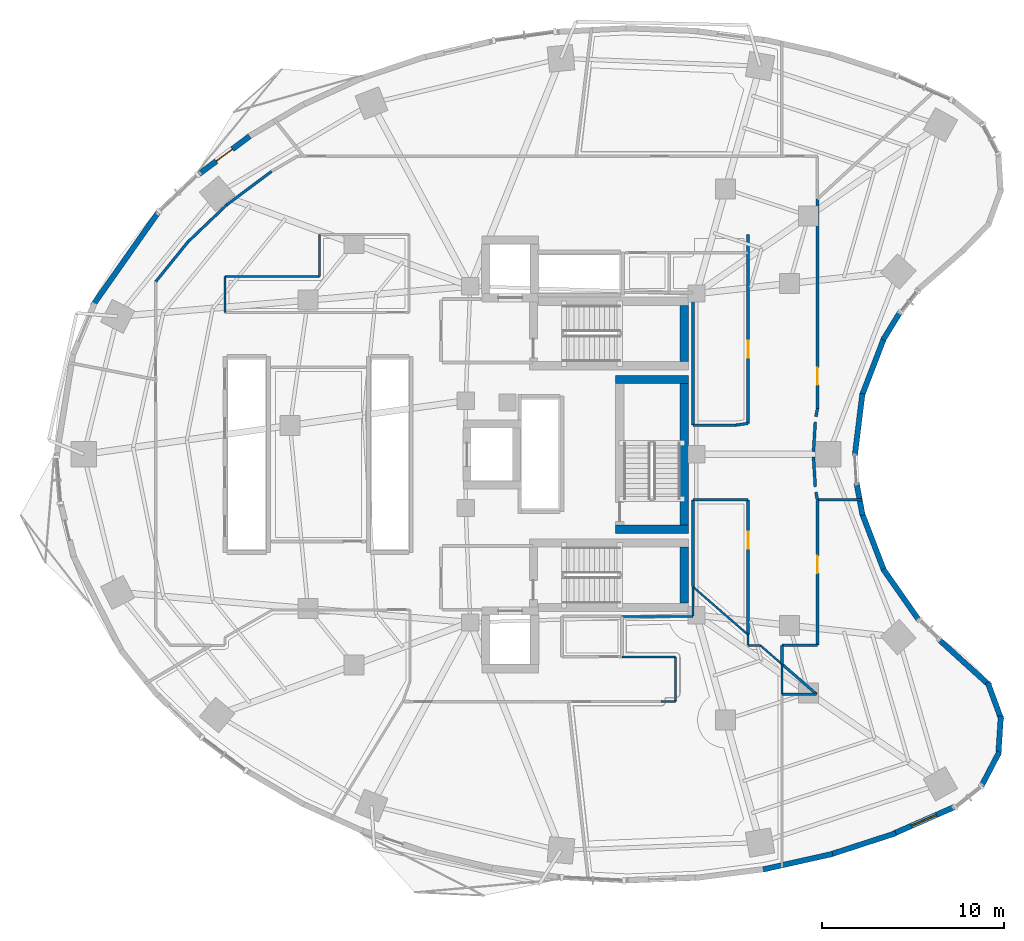
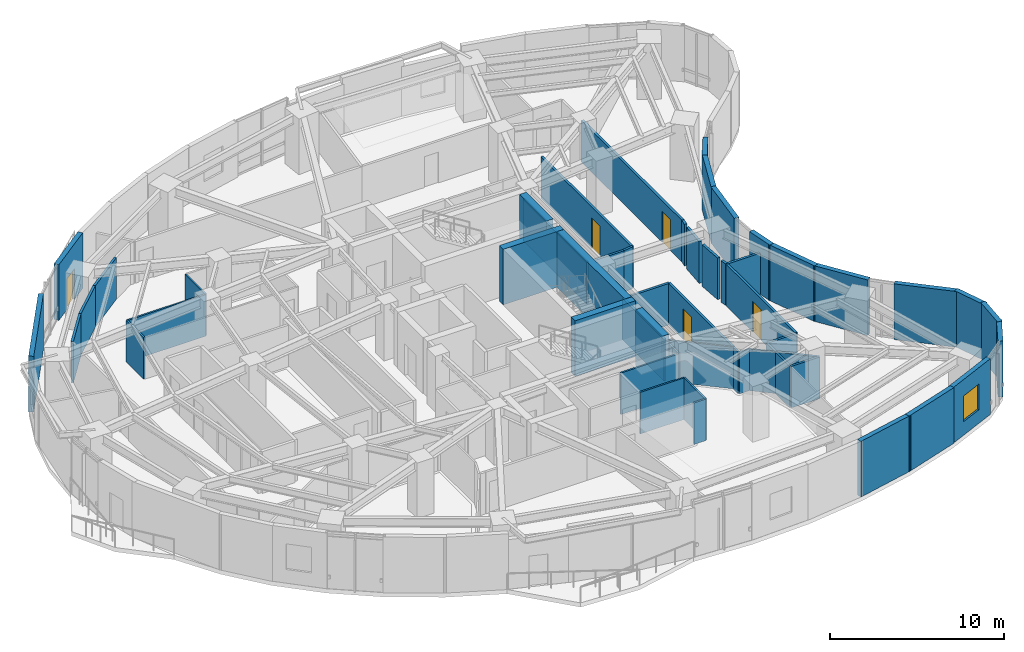
# One storey, part 10 of 15: 54 walls, 5 doors, 1 window, 6 openings.
"""IFC4 building model written with IfcOpenShell, lengths in metres."""

from ifc_helpers import new_model, si_unit, direction, frame, frame_2d, origin, place, context, subcontext, project, spatial, rectangle, extrude, material, layer, layer_set, type_object, element, fill, save


model = new_model("IFC4")

# Units and contexts
model_context = context("Model", 3, precision=1e-05, world=origin(), true_north=direction((0.0, 1.0)))
body_context = subcontext(model_context, "Body", "Model", "MODEL_VIEW")
ifc_project = project(units=[si_unit("LENGTHUNIT", "METRE"), si_unit("AREAUNIT", "SQUARE_METRE"), si_unit("VOLUMEUNIT", "CUBIC_METRE"), si_unit("PLANEANGLEUNIT", "RADIAN"), si_unit("MASSUNIT", "GRAM", prefix="KILO")], contexts=[model_context])

# Site, building, storey
site_placement = place(None, origin())
site = spatial("IfcSite", under=ifc_project, at=site_placement, CompositionType="ELEMENT")
building_placement = place(site_placement, origin())
building = spatial("IfcBuilding", under=site, at=building_placement, Name="Korentha Bioscience Tower", CompositionType="ELEMENT")
storey_placement = place(building_placement, frame((0.0, 0.0, 72.0)))
storey = spatial("IfcBuildingStorey", under=building, at=storey_placement, Name="L16", CompositionType="ELEMENT", Elevation=72.0)

# Wall, opening, door
ifc_material_1 = material(Name="Double-Stud Acoustic Gypsum", Category="gypsum")
ifc_layer_1 = layer(ifc_material_1, 0.14990234375, Name="Double-Stud Acoustic Gypsum")
ifc_layer_set_1 = layer_set([ifc_layer_1], Name="Double-Stud Acoustic Gypsum (IW-L150)")
wall_type_1 = type_object("IfcWallType", Name="Acoustic Laboratory Partition Wall 150", PredefinedType="PARTITIONING", material=ifc_layer_set_1)
wall_1_placement = place(storey_placement, frame((44.2099609375, 16.5, 0.0), z_axis=(0.0, 0.0, 1.0), x_axis=(0.0, 1.0, 0.0)))
wall_1 = element("IfcWall", 1, at=wall_1_placement, inside=storey, type_object=wall_type_1, Name="L16 Grant Review Seminar Room 06 Entrance Wall", PredefinedType="PARTITIONING", context=body_context, shape_type="SweptSolid", body=[
    extrude(rectangle(XDim=7.970458984375, YDim=0.14990234375, at=frame_2d((3.9853515625, 0.0))), origin(), (0.0, 0.0, 1.0), 2.909912109375),
])
opening_1_placement = place(wall_1_placement, frame((3.9658203125, 0.0, 0.0)))
opening_1 = element("IfcOpeningElement", 2, at=opening_1_placement, cuts=wall_1, Name="Opening ID-10R", PredefinedType="OPENING", context=body_context, shape_type="SweptSolid", body=[
    extrude(rectangle(XDim=0.949951171875, YDim=2.14990234375, at=frame_2d((0.47509765625, 1.074951171875))), frame((0.0, 0.08984375, 0.0), z_axis=(0.0, -1.0, 0.0), x_axis=(1.0, 0.0, 0.0)), (0.0, 0.0, 1.0), 0.1796875),
])
ifc_material_2 = material(Name="Phenolic Laminate Timber Core", Category="wood")
door_type_1 = type_object("IfcDoorType", Name="Laboratory Single Leaf Door 950x2150 Right", OperationType="SINGLE_SWING_RIGHT", PredefinedType="DOOR", material=ifc_material_2)
door_1_placement = place(opening_1_placement, origin())
door_1 = element("IfcDoor", 3, at=door_1_placement, inside=storey, type_object=door_type_1, Name="L16 Grant Review Seminar Room 06 Door", OperationType="SINGLE_SWING_RIGHT", OverallHeight=2.14990234375, OverallWidth=0.949951171875, PredefinedType="DOOR", context=body_context, shape_type="SweptSolid", body=[
    extrude(rectangle(XDim=0.949951171875, YDim=2.14990234375, at=frame_2d((0.47509765625, 1.074951171875))), frame((0.0, 0.02490234375, 0.0), z_axis=(0.0, -1.0, 0.0), x_axis=(1.0, 0.0, 0.0)), (0.0, 0.0, 1.0), 0.050048828125),
])
fill(opening_1, door_1)

wall_2_placement = place(storey_placement, frame((40.389892578125, 24.498046875, 0.0), z_axis=(0.0, 0.0, 1.0), x_axis=(0.0, -1.0, 0.0)))
wall_2 = element("IfcWall", 4, at=wall_2_placement, inside=storey, type_object=wall_type_1, Name="L16 Daylight Break and Coffee Bar 07 Entrance Wall", PredefinedType="PARTITIONING", context=body_context, shape_type="SweptSolid", body=[
    extrude(rectangle(XDim=7.41162109375, YDim=0.14990234375, at=frame_2d((3.705810546875, 0.0))), origin(), (0.0, 0.0, 1.0), 2.909912109375),
])
opening_2_placement = place(wall_2_placement, frame((1.744140625, 0.0, 0.0)))
opening_2 = element("IfcOpeningElement", 5, at=opening_2_placement, cuts=wall_2, Name="Opening ID-10L", PredefinedType="OPENING", context=body_context, shape_type="SweptSolid", body=[
    extrude(rectangle(XDim=0.949951171875, YDim=2.14990234375, at=frame_2d((0.47509765625, 1.074951171875))), frame((0.0, 0.08984375, 0.0), z_axis=(0.0, -1.0, 0.0), x_axis=(1.0, 0.0, 0.0)), (0.0, 0.0, 1.0), 0.1796875),
])
door_type_2 = type_object("IfcDoorType", Name="Laboratory Single Leaf Door 950x2150 Left", OperationType="SINGLE_SWING_LEFT", PredefinedType="DOOR", material=ifc_material_2)
door_2_placement = place(opening_2_placement, origin())
door_2 = element("IfcDoor", 6, at=door_2_placement, inside=storey, type_object=door_type_2, Name="L16 Daylight Break and Coffee Bar 07 Door", OperationType="SINGLE_SWING_LEFT", OverallHeight=2.14990234375, OverallWidth=0.949951171875, PredefinedType="DOOR", context=body_context, shape_type="SweptSolid", body=[
    extrude(rectangle(XDim=0.949951171875, YDim=2.14990234375, at=frame_2d((0.47509765625, 1.074951171875))), frame((0.0, 0.02490234375, 0.0), z_axis=(0.0, -1.0, 0.0), x_axis=(1.0, 0.0, 0.0)), (0.0, 0.0, 1.0), 0.050048828125),
])
fill(opening_2, door_2)

wall_3_placement = place(storey_placement, frame((40.389892578125, 39.090087890625, 0.0), z_axis=(0.0, 0.0, 1.0), x_axis=(0.0, -1.0, 0.0)))
wall_3 = element("IfcWall", 7, at=wall_3_placement, inside=storey, type_object=wall_type_1, Name="L16 Immunology Flow-Cytometry Laboratory 09 Entrance Wall", PredefinedType="PARTITIONING", context=body_context, shape_type="SweptSolid", body=[
    extrude(rectangle(XDim=10.3818359375, YDim=0.14990234375, at=frame_2d((5.19091796875, 0.0))), origin(), (0.0, 0.0, 1.0), 2.909912109375),
])
opening_3_placement = place(wall_3_placement, frame((5.82763671875, 0.0, 0.0)))
opening_3 = element("IfcOpeningElement", 8, at=opening_3_placement, cuts=wall_3, Name="Opening ID-10L", PredefinedType="OPENING", context=body_context, shape_type="SweptSolid", body=[
    extrude(rectangle(XDim=0.949951171875, YDim=2.14990234375, at=frame_2d((0.47509765625, 1.074951171875))), frame((0.0, 0.08984375, 0.0), z_axis=(0.0, -1.0, 0.0), x_axis=(1.0, 0.0, 0.0)), (0.0, 0.0, 1.0), 0.1796875),
])
door_3_placement = place(opening_3_placement, origin())
door_3 = element("IfcDoor", 9, at=door_3_placement, inside=storey, type_object=door_type_2, Name="L16 Immunology Flow-Cytometry Laboratory 09 Door", OperationType="SINGLE_SWING_LEFT", OverallHeight=2.14990234375, OverallWidth=0.949951171875, PredefinedType="DOOR", context=body_context, shape_type="SweptSolid", body=[
    extrude(rectangle(XDim=0.949951171875, YDim=2.14990234375, at=frame_2d((0.47509765625, 1.074951171875))), frame((0.0, 0.02490234375, 0.0), z_axis=(0.0, -1.0, 0.0), x_axis=(1.0, 0.0, 0.0)), (0.0, 0.0, 1.0), 0.050048828125),
])
fill(opening_3, door_3)

# Walls
wall_4_placement = place(storey_placement, frame((42.251953125, 16.489990234375, 0.0), z_axis=(0.0, 0.0, 1.0), x_axis=(1.0, 0.0, 0.0)))
element("IfcWall", 10, at=wall_4_placement, inside=storey, type_object=wall_type_1, Name="L16 Interior Partition 049", PredefinedType="PARTITIONING", context=body_context, shape_type="SweptSolid", body=[
    extrude(rectangle(XDim=1.947998046875, YDim=0.14990234375, at=frame_2d((0.97412109375, 0.0))), origin(), (0.0, 0.0, 1.0), 2.909912109375),
])
wall_5_placement = place(storey_placement, frame((44.205078125, 24.498046875, 0.0), z_axis=(0.0, 0.0, 1.0), x_axis=(1.0, 0.0, 0.0)))
element("IfcWall", 11, at=wall_5_placement, inside=storey, type_object=wall_type_1, Name="L16 Interior Partition 050", PredefinedType="PARTITIONING", context=body_context, shape_type="SweptSolid", body=[
    extrude(rectangle(XDim=2.446533203125, YDim=0.14990234375, at=frame_2d((1.22314453125, 0.0))), origin(), (0.0, 0.0, 1.0), 2.909912109375),
])
wall_6_placement = place(storey_placement, frame((42.258056640625, 13.798095703125, 0.0), z_axis=(0.0, 0.0, 1.0), x_axis=(1.0, 0.0, 0.0)))
element("IfcWall", 12, at=wall_6_placement, inside=storey, type_object=wall_type_1, Name="L16 Interior Partition 051", PredefinedType="PARTITIONING", context=body_context, shape_type="SweptSolid", body=[
    extrude(rectangle(XDim=1.89501953125, YDim=0.14990234375, at=frame_2d((0.947509765625, 0.0))), origin(), (0.0, 0.0, 1.0), 2.909912109375),
])
wall_7_placement = place(storey_placement, frame((44.15576171875, 13.804931640625, 0.0), z_axis=(0.0, 0.0, 1.0), x_axis=(-0.754707936706, 0.656060919635, 0.0)))
element("IfcWall", 13, at=wall_7_placement, inside=storey, type_object=wall_type_1, Name="L16 Interior Partition 052", PredefinedType="PARTITIONING", context=body_context, shape_type="SweptSolid", body=[
    extrude(rectangle(XDim=2.514404296875, YDim=0.14990234375, at=frame_2d((1.25732421875, 0.0))), origin(), (0.0, 0.0, 1.0), 2.909912109375),
])
wall_8_placement = place(storey_placement, frame((42.251953125, 15.468017578125, 0.0), z_axis=(0.0, 0.0, 1.0), x_axis=(0.0, 1.0, 0.0)))
element("IfcWall", 14, at=wall_8_placement, inside=storey, type_object=wall_type_1, Name="L16 Interior Partition 053", PredefinedType="PARTITIONING", context=body_context, shape_type="SweptSolid", body=[
    extrude(rectangle(XDim=1.02197265625, YDim=0.14990234375, at=frame_2d((0.510986328125, 0.0))), origin(), (0.0, 0.0, 1.0), 2.909912109375),
])
wall_9_placement = place(storey_placement, frame((37.360107421875, 19.71728515625, 0.0), z_axis=(0.0, 0.0, 1.0), x_axis=(0.0, 1.0, 0.0)))
element("IfcWall", 15, at=wall_9_placement, inside=storey, type_object=wall_type_1, Name="L16 Interior Partition 054", PredefinedType="PARTITIONING", context=body_context, shape_type="SweptSolid", body=[
    extrude(rectangle(XDim=4.78076171875, YDim=0.14990234375, at=frame_2d((2.390380859375, 0.0))), origin(), (0.0, 0.0, 1.0), 2.909912109375),
])
wall_10_placement = place(storey_placement, frame((37.360107421875, 24.498046875, 0.0), z_axis=(0.0, 0.0, 1.0), x_axis=(1.0, 0.0, 0.0)))
element("IfcWall", 16, at=wall_10_placement, inside=storey, type_object=wall_type_1, Name="L16 Interior Partition 055", PredefinedType="PARTITIONING", context=body_context, shape_type="SweptSolid", body=[
    extrude(rectangle(XDim=3.02978515625, YDim=0.14990234375, at=frame_2d((1.514892578125, 0.0))), origin(), (0.0, 0.0, 1.0), 2.909912109375),
])
wall_11_placement = place(storey_placement, frame((39.73291015625, 28.610107421875, 0.0), z_axis=(0.0, 0.0, 1.0), x_axis=(-1.0, 0.0, 0.0)))
element("IfcWall", 17, at=wall_11_placement, inside=storey, type_object=wall_type_1, Name="L16 Interior Partition 061", PredefinedType="PARTITIONING", context=body_context, shape_type="SweptSolid", body=[
    extrude(rectangle(XDim=2.372802734375, YDim=0.14990234375, at=frame_2d((1.1865234375, 0.0))), origin(), (0.0, 0.0, 1.0), 2.909912109375),
])
wall_12_placement = place(storey_placement, frame((37.360107421875, 28.610107421875, 0.0), z_axis=(0.0, 0.0, 1.0), x_axis=(0.0, 1.0, 0.0)))
element("IfcWall", 18, at=wall_12_placement, inside=storey, type_object=wall_type_1, Name="L16 Interior Partition 062", PredefinedType="PARTITIONING", context=body_context, shape_type="SweptSolid", body=[
    extrude(rectangle(XDim=7.289794921875, YDim=0.14990234375, at=frame_2d((3.64501953125, 0.0))), origin(), (0.0, 0.0, 1.0), 2.909912109375),
])
wall_13_placement = place(storey_placement, frame((40.389892578125, 28.708251953125, 0.0), z_axis=(0.0, 0.0, 1.0), x_axis=(-0.989025137229, -0.147747344915, 0.0)))
element("IfcWall", 19, at=wall_13_placement, inside=storey, type_object=wall_type_1, Name="L16 Interior Partition 067", PredefinedType="PARTITIONING", context=body_context, shape_type="SweptSolid", body=[
    extrude(rectangle(XDim=0.664306640625, YDim=0.14990234375, at=frame_2d((0.33203125, 0.0))), origin(), (0.0, 0.0, 1.0), 2.909912109375),
])
wall_14_placement = place(storey_placement, frame((14.159912109375, 42.57177734375, 0.0), z_axis=(0.0, 0.0, 1.0), x_axis=(-0.800808090092, -0.598921032227, 0.0)))
element("IfcWall", 20, at=wall_14_placement, inside=storey, type_object=wall_type_1, Name="L16 Interior Partition 079", PredefinedType="PARTITIONING", context=body_context, shape_type="SweptSolid", body=[
    extrude(rectangle(XDim=3.078857421875, YDim=0.14990234375, at=frame_2d((1.53955078125, 0.0))), origin(), (0.0, 0.0, 1.0), 2.909912109375),
])
wall_15_placement = place(storey_placement, frame((11.693359375, 40.72705078125, 0.0), z_axis=(0.0, 0.0, 1.0), x_axis=(-0.723683526017, -0.690131983154, 0.0)))
element("IfcWall", 21, at=wall_15_placement, inside=storey, type_object=wall_type_1, Name="L16 Interior Partition 080", PredefinedType="PARTITIONING", context=body_context, shape_type="SweptSolid", body=[
    extrude(rectangle(XDim=2.939697265625, YDim=0.14990234375, at=frame_2d((1.4697265625, 0.0))), origin(), (0.0, 0.0, 1.0), 2.909912109375),
])
wall_16_placement = place(storey_placement, frame((9.565185546875, 38.697265625, 0.0), z_axis=(0.0, 0.0, 1.0), x_axis=(-0.629270515505, -0.777186347227, 0.0)))
element("IfcWall", 22, at=wall_16_placement, inside=storey, type_object=wall_type_1, Name="L16 Interior Partition 081", PredefinedType="PARTITIONING", context=body_context, shape_type="SweptSolid", body=[
    extrude(rectangle(XDim=2.8173828125, YDim=0.14990234375, at=frame_2d((1.40869140625, 0.0))), origin(), (0.0, 0.0, 1.0), 2.909912109375),
])
ifc_material_3 = material(Name="Fire-Rated Framed Glass", Category="glass")
ifc_layer_2 = layer(ifc_material_3, 0.110107421875, Name="Fire-Rated Framed Glass")
ifc_layer_set_2 = layer_set([ifc_layer_2], Name="Fire-Rated Framed Glass (IW-G110)")
wall_type_2 = type_object("IfcWallType", Name="Demountable Glazed Office Partition 110", PredefinedType="MOVABLE", material=ifc_layer_set_2)
wall_17_placement = place(storey_placement, frame((40.389892578125, 17.0732421875, 0.0), z_axis=(0.0, 0.0, 1.0), x_axis=(0.0, -1.0, 0.0)))
element("IfcWall", 23, at=wall_17_placement, inside=storey, type_object=wall_type_2, Name="L16 Interior Partition 037", PredefinedType="MOVABLE", context=body_context, shape_type="SweptSolid", body=[
    extrude(rectangle(XDim=0.5732421875, YDim=0.110107421875, at=frame_2d((0.28662109375, 0.0))), origin(), (0.0, 0.0, 1.0), 2.909912109375),
])
wall_18_placement = place(storey_placement, frame((40.39990234375, 16.489990234375, 0.0), z_axis=(0.0, 0.0, 1.0), x_axis=(1.0, 0.0, 0.0)))
element("IfcWall", 24, at=wall_18_placement, inside=storey, type_object=wall_type_2, Name="L16 Interior Partition 038", PredefinedType="MOVABLE", context=body_context, shape_type="SweptSolid", body=[
    extrude(rectangle(XDim=0.660888671875, YDim=0.110107421875, at=frame_2d((0.33056640625, 0.0))), origin(), (0.0, 0.0, 1.0), 2.909912109375),
])
wall_19_placement = place(storey_placement, frame((41.060791015625, 16.489990234375, 0.0), z_axis=(0.0, 0.0, 1.0), x_axis=(0.754745866839, -0.656017283682, 0.0)))
element("IfcWall", 25, at=wall_19_placement, inside=storey, type_object=wall_type_2, Name="L16 Interior Partition 039", PredefinedType="MOVABLE", context=body_context, shape_type="SweptSolid", body=[
    extrude(rectangle(XDim=1.57275390625, YDim=0.110107421875, at=frame_2d((0.786376953125, 0.0))), origin(), (0.0, 0.0, 1.0), 2.909912109375),
])
wall_20_placement = place(storey_placement, frame((42.248046875, 15.4580078125, 0.0), z_axis=(0.0, 0.0, 1.0), x_axis=(0.0, -1.0, 0.0)))
element("IfcWall", 26, at=wall_20_placement, inside=storey, type_object=wall_type_2, Name="L16 Interior Partition 040", PredefinedType="MOVABLE", context=body_context, shape_type="SweptSolid", body=[
    extrude(rectangle(XDim=1.656005859375, YDim=0.110107421875, at=frame_2d((0.828125, 0.0))), origin(), (0.0, 0.0, 1.0), 2.909912109375),
])
wall_21_placement = place(storey_placement, frame((35.610107421875, 13.39990234375, 0.0), z_axis=(0.0, 0.0, 1.0), x_axis=(1.0, 0.0, 0.0)))
element("IfcWall", 27, at=wall_21_placement, inside=storey, type_object=wall_type_2, Name="L16 Interior Partition 043", PredefinedType="MOVABLE", context=body_context, shape_type="SweptSolid", body=[
    extrude(rectangle(XDim=0.789794921875, YDim=0.110107421875, at=frame_2d((0.39501953125, 0.0))), origin(), (0.0, 0.0, 1.0), 2.909912109375),
])
wall_22_placement = place(storey_placement, frame((36.39990234375, 13.39990234375, 0.0), z_axis=(0.0, 0.0, 1.0), x_axis=(0.004085258855, 0.999991655295, 0.0)))
element("IfcWall", 28, at=wall_22_placement, inside=storey, type_object=wall_type_2, Name="L16 Interior Partition 044", PredefinedType="MOVABLE", context=body_context, shape_type="SweptSolid", body=[
    extrude(rectangle(XDim=2.4501953125, YDim=0.110107421875, at=frame_2d((1.22509765625, 0.0))), origin(), (0.0, 0.0, 1.0), 2.909912109375),
])
wall_23_placement = place(storey_placement, frame((36.39990234375, 15.860107421875, 0.0), z_axis=(0.0, 0.0, 1.0), x_axis=(-1.0, 0.0, 0.0)))
element("IfcWall", 29, at=wall_23_placement, inside=storey, type_object=wall_type_2, Name="L16 Interior Partition 045", PredefinedType="MOVABLE", context=body_context, shape_type="SweptSolid", body=[
    extrude(rectangle(XDim=2.93994140625, YDim=0.110107421875, at=frame_2d((1.469970703125, 0.0))), origin(), (0.0, 0.0, 1.0), 2.909912109375),
])
wall_24_placement = place(storey_placement, frame((33.4599609375, 18.090087890625, 0.0), z_axis=(0.0, 0.0, 1.0), x_axis=(1.0, 0.0, 0.0)))
element("IfcWall", 30, at=wall_24_placement, inside=storey, type_object=wall_type_2, Name="L16 Interior Partition 046", PredefinedType="MOVABLE", context=body_context, shape_type="SweptSolid", body=[
    extrude(rectangle(XDim=3.89013671875, YDim=0.110107421875, at=frame_2d((1.945068359375, 0.0))), origin(), (0.0, 0.0, 1.0), 2.909912109375),
])
wall_25_placement = place(storey_placement, frame((37.360107421875, 18.10009765625, 0.0), z_axis=(0.0, 0.0, 1.0), x_axis=(0.0, 1.0, 0.0)))
element("IfcWall", 31, at=wall_25_placement, inside=storey, type_object=wall_type_2, Name="L16 Interior Partition 047", PredefinedType="MOVABLE", context=body_context, shape_type="SweptSolid", body=[
    extrude(rectangle(XDim=1.607177734375, YDim=0.110107421875, at=frame_2d((0.8037109375, 0.0))), origin(), (0.0, 0.0, 1.0), 2.909912109375),
])
wall_26_placement = place(storey_placement, frame((37.360107421875, 19.707275390625, 0.0), z_axis=(0.0, 0.0, 1.0), x_axis=(0.754674904971, -0.656098916175, 0.0)))
element("IfcWall", 32, at=wall_26_placement, inside=storey, type_object=wall_type_2, Name="L16 Interior Partition 048", PredefinedType="MOVABLE", context=body_context, shape_type="SweptSolid", body=[
    extrude(rectangle(XDim=4.0146484375, YDim=0.110107421875, at=frame_2d((2.00732421875, 0.0))), origin(), (0.0, 0.0, 1.0), 2.909912109375),
])
wall_27_placement = place(storey_placement, frame((11.590087890625, 36.7900390625, 0.0), z_axis=(0.0, 0.0, 1.0), x_axis=(1.0, 0.0, 0.0)))
element("IfcWall", 33, at=wall_27_placement, inside=storey, type_object=wall_type_2, Name="L16 Interior Partition 072", PredefinedType="MOVABLE", context=body_context, shape_type="SweptSolid", body=[
    extrude(rectangle(XDim=5.2099609375, YDim=0.110107421875, at=frame_2d((2.60498046875, 0.0))), origin(), (0.0, 0.0, 1.0), 2.909912109375),
])
wall_28_placement = place(storey_placement, frame((16.81005859375, 36.800048828125, 0.0), z_axis=(0.0, 0.0, 1.0), x_axis=(0.0, 1.0, 0.0)))
element("IfcWall", 34, at=wall_28_placement, inside=storey, type_object=wall_type_2, Name="L16 Interior Partition 073", PredefinedType="MOVABLE", context=body_context, shape_type="SweptSolid", body=[
    extrude(rectangle(XDim=2.2900390625, YDim=0.110107421875, at=frame_2d((1.14501953125, 0.0))), origin(), (0.0, 0.0, 1.0), 2.909912109375),
])
wall_29_placement = place(storey_placement, frame((11.590087890625, 34.81005859375, 0.0), z_axis=(0.0, 0.0, 1.0), x_axis=(0.0, 1.0, 0.0)))
element("IfcWall", 35, at=wall_29_placement, inside=storey, type_object=wall_type_2, Name="L16 Interior Partition 076", PredefinedType="MOVABLE", context=body_context, shape_type="SweptSolid", body=[
    extrude(rectangle(XDim=1.97998046875, YDim=0.110107421875, at=frame_2d((0.989990234375, 0.0))), origin(), (0.0, 0.0, 1.0), 2.909912109375),
])

# Wall, opening, door
ifc_material_4 = material(Name="Gypsum-Clad Steel Stud", Category="steel")
ifc_layer_3 = layer(ifc_material_4, 0.159912109375, Name="Gypsum-Clad Steel Stud")
ifc_layer_set_3 = layer_set([ifc_layer_3], Name="Gypsum-Clad Steel Stud (IW-C160)")
wall_type_3 = type_object("IfcWallType", Name="Fire-Rated Corridor Partition Wall 160", PredefinedType="PARTITIONING", material=ifc_layer_set_3)
wall_30_placement = place(storey_placement, frame((44.2099609375, 29.529541015625, 0.0), z_axis=(0.0, 0.0, 1.0), x_axis=(0.0, 1.0, 0.0)))
wall_30 = element("IfcWall", 36, at=wall_30_placement, inside=storey, type_object=wall_type_3, Name="L16 Reference Archive Vault 08 Entrance Wall", PredefinedType="PARTITIONING", context=body_context, shape_type="SweptSolid", body=[
    extrude(rectangle(XDim=11.52734375, YDim=0.159912109375, at=frame_2d((5.763671875, 0.0))), origin(), (0.0, 0.0, 1.0), 2.909912109375),
])
opening_4_placement = place(wall_30_placement, frame((1.291015625, 0.0, 0.0)))
opening_4 = element("IfcOpeningElement", 37, at=opening_4_placement, cuts=wall_30, Name="Opening ID-10R", PredefinedType="OPENING", context=body_context, shape_type="SweptSolid", body=[
    extrude(rectangle(XDim=0.949951171875, YDim=2.14990234375, at=frame_2d((0.47509765625, 1.074951171875))), frame((0.0, 0.0947265625, 0.0), z_axis=(0.0, -1.0, 0.0), x_axis=(1.0, 0.0, 0.0)), (0.0, 0.0, 1.0), 0.189697265625),
])
door_4_placement = place(opening_4_placement, origin())
door_4 = element("IfcDoor", 38, at=door_4_placement, inside=storey, type_object=door_type_1, Name="L16 Reference Archive Vault 08 Door", OperationType="SINGLE_SWING_RIGHT", OverallHeight=2.14990234375, OverallWidth=0.949951171875, PredefinedType="DOOR", context=body_context, shape_type="SweptSolid", body=[
    extrude(rectangle(XDim=0.949951171875, YDim=2.14990234375, at=frame_2d((0.47509765625, 1.074951171875))), frame((0.0, 0.02490234375, 0.0), z_axis=(0.0, -1.0, 0.0), x_axis=(1.0, 0.0, 0.0)), (0.0, 0.0, 1.0), 0.050048828125),
])
fill(opening_4, door_4)

# Walls
wall_31_placement = place(storey_placement, frame((44.203125, 24.5078125, 0.0), z_axis=(0.0, 0.0, 1.0), x_axis=(-0.181944014068, 0.983308891318, 0.0)))
element("IfcWall", 39, at=wall_31_placement, inside=storey, type_object=wall_type_3, Name="L16 Interior Partition 056", PredefinedType="PARTITIONING", context=body_context, shape_type="SweptSolid", body=[
    extrude(rectangle(XDim=0.42138671875, YDim=0.159912109375, at=frame_2d((0.210693359375, 0.0))), origin(), (0.0, 0.0, 1.0), 2.909912109375),
])
for number, where, z_axis, x_axis, name in (
    (40, (44.090087890625, 25.217041015625, 0.0), (0.0, 0.0, 1.0), (-0.060976688407, 0.998139190429, 0.0), "L16 Interior Partition 057"),
    (41, (43.990234375, 27.1484375, 0.0), (0.0, 0.0, 1.0), (0.060976688407, 0.998139190429, 0.0), "L16 Interior Partition 058"),
):
    element("IfcWall", number, at=place(storey_placement, frame(where, z_axis=z_axis, x_axis=x_axis)), inside=storey, type_object=wall_type_3, Name=name, PredefinedType="PARTITIONING", context=body_context, shape_type="SweptSolid", body=[
        extrude(rectangle(XDim=1.637451171875, YDim=0.159912109375, at=frame_2d((0.81884765625, 0.0))), origin(), (0.0, 0.0, 1.0), 2.909912109375),
    ])
wall_32_placement = place(storey_placement, frame((44.12646484375, 29.077880859375, 0.0), z_axis=(0.0, 0.0, 1.0), x_axis=(0.181936414242, 0.983310297502, 0.0)))
element("IfcWall", 42, at=wall_32_placement, inside=storey, type_object=wall_type_3, Name="L16 Interior Partition 059", PredefinedType="PARTITIONING", context=body_context, shape_type="SweptSolid", body=[
    extrude(rectangle(XDim=0.45751953125, YDim=0.159912109375, at=frame_2d((0.228759765625, 0.0))), origin(), (0.0, 0.0, 1.0), 2.909912109375),
])

# Wall, opening, door
ifc_material_5 = material(Name="Honed Limestone Precast Concrete C40", Category="masonry")
ifc_layer_4 = layer(ifc_material_5, 0.300048828125, Name="Honed Limestone Precast Concrete C40")
ifc_layer_set_4 = layer_set([ifc_layer_4], Name="Honed Limestone Precast Concrete C40 (EW-ST300)")
wall_type_4 = type_object("IfcWallType", Name="Honed Limestone Cavity Spandrel Wall 300", PredefinedType="STANDARD", material=ifc_layer_set_4)
wall_33_placement = place(storey_placement, frame((12.957275390625, 44.507080078125, 0.0), z_axis=(0.0, 0.0, 1.0), x_axis=(-0.800798896088, -0.59893332519, 0.0)))
wall_33 = element("IfcWall", 43, at=wall_33_placement, inside=storey, type_object=wall_type_4, Name="L16 Balcony Threshold Wall 01", PredefinedType="STANDARD", context=body_context, shape_type="SweptSolid", body=[
    extrude(rectangle(XDim=3.480712890625, YDim=0.300048828125, at=frame_2d((1.740234375, 0.0))), origin(), (0.0, 0.0, 1.0), 3.89990234375),
])
opening_5_placement = place(wall_33_placement, frame((1.1904296875, 0.0, 0.0)))
opening_5 = element("IfcOpeningElement", 44, at=opening_5_placement, cuts=wall_33, Name="Opening BD-11L", PredefinedType="OPENING", context=body_context, shape_type="SweptSolid", body=[
    extrude(rectangle(XDim=1.10009765625, YDim=2.14990234375, at=frame_2d((0.550048828125, 1.074951171875))), frame((0.0, 0.1650390625, 0.0), z_axis=(0.0, -1.0, 0.0), x_axis=(1.0, 0.0, 0.0)), (0.0, 0.0, 1.0), 0.329833984375),
])
ifc_material_6 = material(Name="Thermally Broken Glazed Aluminium", Category="aluminium")
door_type_3 = type_object("IfcDoorType", Name="Balcony Terrace Glazed Door 1100x2150 Left", OperationType="SINGLE_SWING_LEFT", PredefinedType="DOOR", material=ifc_material_6)
door_5_placement = place(opening_5_placement, origin())
door_5 = element("IfcDoor", 45, at=door_5_placement, inside=storey, type_object=door_type_3, Name="L16 Balcony Access Door 01", OperationType="SINGLE_SWING_LEFT", OverallHeight=2.14990234375, OverallWidth=1.10009765625, PredefinedType="DOOR", context=body_context, shape_type="SweptSolid", body=[
    extrude(rectangle(XDim=1.10009765625, YDim=2.14990234375, at=frame_2d((0.550048828125, 1.074951171875))), frame((0.0, 0.02490234375, 0.0), z_axis=(0.0, -1.0, 0.0), x_axis=(1.0, 0.0, 0.0)), (0.0, 0.0, 1.0), 0.050048828125),
])
fill(opening_5, door_5)

# Wall, opening, window
wall_34_placement = place(storey_placement, frame((48.37255859375, 6.115478515625, 0.0), z_axis=(0.0, 0.0, 1.0), x_axis=(0.91593836551, 0.401318963652, 0.0)))
wall_34 = element("IfcWall", 46, at=wall_34_placement, inside=storey, type_object=wall_type_4, Name="L16 Honed Limestone Spandrel Wall 36", PredefinedType="STANDARD", context=body_context, shape_type="SweptSolid", body=[
    extrude(rectangle(XDim=3.712646484375, YDim=0.300048828125, at=frame_2d((1.8564453125, 0.0))), origin(), (0.0, 0.0, 1.0), 3.89990234375),
])
opening_6_placement = place(wall_34_placement, frame((1.106201171875, 0.0, 0.949951171875)))
opening_6 = element("IfcOpeningElement", 47, at=opening_6_placement, cuts=wall_34, Name="Opening WN-02", PredefinedType="OPENING", context=body_context, shape_type="SweptSolid", body=[
    extrude(rectangle(XDim=1.5, YDim=1.800048828125, at=frame_2d((0.75, 0.89990234375))), frame((0.0, 0.1650390625, 0.0), z_axis=(0.0, -1.0, 0.0), x_axis=(1.0, 0.0, 0.0)), (0.0, 0.0, 1.0), 0.329833984375),
])
ifc_material_7 = material(Name="Thermally Broken Aluminium Triple Glazing", Category="aluminium")
window_type = type_object("IfcWindowType", Name="Acoustic Operable Office Window 1500x1800", PartitioningType="DOUBLE_PANEL_VERTICAL", PredefinedType="WINDOW", material=ifc_material_7)
window_placement = place(opening_6_placement, origin())
window = element("IfcWindow", 48, at=window_placement, inside=storey, type_object=window_type, Name="L16 Facade Window 36", OverallHeight=1.800048828125, OverallWidth=1.5, PartitioningType="DOUBLE_PANEL_VERTICAL", PredefinedType="WINDOW", context=body_context, shape_type="SweptSolid", body=[
    extrude(rectangle(XDim=1.5, YDim=1.800048828125, at=frame_2d((0.75, 0.89990234375))), frame((0.0, 0.030029296875, 0.0), z_axis=(0.0, -1.0, 0.0), x_axis=(1.0, 0.0, 0.0)), (0.0, 0.0, 1.0), 0.06005859375),
])
fill(opening_6, window)

# Walls
wall_35_placement = place(storey_placement, frame((7.935791015625, 40.333251953125, 0.0), z_axis=(0.0, 0.0, 1.0), x_axis=(-0.575165804445, -0.818036855769, 0.0)))
element("IfcWall", 49, at=wall_35_placement, inside=storey, type_object=wall_type_4, Name="L16 Limestone Perimeter Closure Wall 14", PredefinedType="STANDARD", context=body_context, shape_type="SweptSolid", body=[
    extrude(rectangle(XDim=6.295654296875, YDim=0.300048828125, at=frame_2d((3.14794921875, 0.0))), origin(), (0.0, 0.0, 1.0), 3.89990234375),
])
wall_36_placement = place(storey_placement, frame((41.22509765625, 4.1552734375, 0.0), z_axis=(0.0, 0.0, 1.0), x_axis=(0.975868573345, 0.218358713032, 0.0)))
element("IfcWall", 50, at=wall_36_placement, inside=storey, type_object=wall_type_4, Name="L16 Limestone Perimeter Closure Wall 34", PredefinedType="STANDARD", context=body_context, shape_type="SweptSolid", body=[
    extrude(rectangle(XDim=3.90869140625, YDim=0.300048828125, at=frame_2d((1.954345703125, 0.0))), origin(), (0.0, 0.0, 1.0), 3.89990234375),
])
wall_37_placement = place(storey_placement, frame((44.872802734375, 4.963134765625, 0.0), z_axis=(0.0, 0.0, 1.0), x_axis=(0.950965833732, 0.309295947393, 0.0)))
element("IfcWall", 51, at=wall_37_placement, inside=storey, type_object=wall_type_4, Name="L16 Limestone Perimeter Closure Wall 35", PredefinedType="STANDARD", context=body_context, shape_type="SweptSolid", body=[
    extrude(rectangle(XDim=3.840087890625, YDim=0.300048828125, at=frame_2d((1.919921875, 0.0))), origin(), (0.0, 0.0, 1.0), 3.89990234375),
])
wall_38_placement = place(storey_placement, frame((53.20751953125, 8.691650390625, 0.0), z_axis=(0.0, 0.0, 1.0), x_axis=(0.463035066673, 0.886339961319, 0.0)))
element("IfcWall", 52, at=wall_38_placement, inside=storey, type_object=wall_type_4, Name="L16 Limestone Perimeter Closure Wall 38", PredefinedType="STANDARD", context=body_context, shape_type="SweptSolid", body=[
    extrude(rectangle(XDim=2.1875, YDim=0.300048828125, at=frame_2d((1.09375, 0.0))), origin(), (0.0, 0.0, 1.0), 3.89990234375),
])
for number, where, z_axis, x_axis, name in (
    (53, (54.16259765625, 10.42431640625, 0.0), (0.0, 0.0, 1.0), (0.064615302336, 0.99791024782, 0.0), "L16 Limestone Perimeter Closure Wall 39"),
    (54, (54.334716796875, 12.39501953125, 0.0), (0.0, 0.0, 1.0), (-0.344939866054, 0.938624785954, 0.0), "L16 Limestone Perimeter Closure Wall 40"),
):
    element("IfcWall", number, at=place(storey_placement, frame(where, z_axis=z_axis, x_axis=x_axis)), inside=storey, type_object=wall_type_4, Name=name, PredefinedType="STANDARD", context=body_context, shape_type="SweptSolid", body=[
        extrude(rectangle(XDim=2.187744140625, YDim=0.300048828125, at=frame_2d((1.09375, 0.0))), origin(), (0.0, 0.0, 1.0), 3.89990234375),
    ])
wall_39_placement = place(storey_placement, frame((53.704345703125, 14.26416015625, 0.0), z_axis=(0.0, 0.0, 1.0), x_axis=(-0.74117794387, 0.671308614216, 0.0)))
element("IfcWall", 55, at=wall_39_placement, inside=storey, type_object=wall_type_4, Name="L16 Limestone Perimeter Closure Wall 41", PredefinedType="STANDARD", context=body_context, shape_type="SweptSolid", body=[
    extrude(rectangle(XDim=3.815673828125, YDim=0.300048828125, at=frame_2d((1.90771484375, 0.0))), origin(), (0.0, 0.0, 1.0), 3.89990234375),
])
wall_40_placement = place(storey_placement, frame((49.79248046875, 17.8779296875, 0.0), z_axis=(0.0, 0.0, 1.0), x_axis=(-0.573576992806, 0.819151654655, 0.0)))
element("IfcWall", 56, at=wall_40_placement, inside=storey, type_object=wall_type_4, Name="L16 Limestone Perimeter Closure Wall 44", PredefinedType="STANDARD", context=body_context, shape_type="SweptSolid", body=[
    extrude(rectangle(XDim=3.429931640625, YDim=0.300048828125, at=frame_2d((1.71484375, 0.0))), origin(), (0.0, 0.0, 1.0), 3.89990234375),
])
wall_41_placement = place(storey_placement, frame((47.8837890625, 20.577392578125, 0.0), z_axis=(0.0, 0.0, 1.0), x_axis=(-0.358344570513, 0.933589400531, 0.0)))
element("IfcWall", 57, at=wall_41_placement, inside=storey, type_object=wall_type_4, Name="L16 Limestone Perimeter Closure Wall 46", PredefinedType="STANDARD", context=body_context, shape_type="SweptSolid", body=[
    extrude(rectangle(XDim=3.4296875, YDim=0.300048828125, at=frame_2d((1.71484375, 0.0))), origin(), (0.0, 0.0, 1.0), 3.89990234375),
])
wall_42_placement = place(storey_placement, frame((46.691162109375, 23.650390625, 0.0), z_axis=(0.0, 0.0, 1.0), x_axis=(-0.182230271073, 0.983255881399, 0.0)))
element("IfcWall", 58, at=wall_42_placement, inside=storey, type_object=wall_type_4, Name="L16 Limestone Perimeter Closure Wall 48", PredefinedType="STANDARD", context=body_context, shape_type="SweptSolid", body=[
    extrude(rectangle(XDim=1.7978515625, YDim=0.300048828125, at=frame_2d((0.89892578125, 0.0))), origin(), (0.0, 0.0, 1.0), 3.89990234375),
])
for number, where, z_axis, x_axis, name in (
    (59, (46.26708984375, 26.937744140625, 0.0), (0.0, 0.0, 1.0), (0.121870386032, 0.992546023622, 0.0), "L16 Limestone Perimeter Closure Wall 50"),
    (60, (46.65478515625, 30.220703125, 0.0), (0.0, 0.0, 1.0), (0.358344570513, 0.933589400531, 0.0), "L16 Limestone Perimeter Closure Wall 52"),
):
    element("IfcWall", number, at=place(storey_placement, frame(where, z_axis=z_axis, x_axis=x_axis)), inside=storey, type_object=wall_type_4, Name=name, PredefinedType="STANDARD", context=body_context, shape_type="SweptSolid", body=[
        extrude(rectangle(XDim=3.4296875, YDim=0.300048828125, at=frame_2d((1.71484375, 0.0))), origin(), (0.0, 0.0, 1.0), 3.89990234375),
    ])
wall_43_placement = place(storey_placement, frame((47.82470703125, 33.302734375, 0.0), z_axis=(0.0, 0.0, 1.0), x_axis=(0.522520662875, 0.852626622191, 0.0)))
element("IfcWall", 61, at=wall_43_placement, inside=storey, type_object=wall_type_4, Name="L16 Limestone Perimeter Closure Wall 54", PredefinedType="STANDARD", context=body_context, shape_type="SweptSolid", body=[
    extrude(rectangle(XDim=1.7978515625, YDim=0.300048828125, at=frame_2d((0.89892578125, 0.0))), origin(), (0.0, 0.0, 1.0), 3.89990234375),
])
ifc_material_8 = material(Name="Concrete C80", Category="concrete")
ifc_layer_5 = layer(ifc_material_8, 0.449951171875, Name="Concrete C80")
ifc_layer_set_5 = layer_set([ifc_layer_5], Name="Concrete C80 (CW-C80)")
wall_type_5 = type_object("IfcWallType", Name="Lower Core Shear Wall 450", PredefinedType="SHEAR", material=ifc_layer_set_5)
for number, where, z_axis, x_axis, name in (
    (62, (36.875, 32.110107421875, 0.0), (0.0, 0.0, 1.0), (0.0, 1.0, 0.0), "L16 Core Shear Wall ST1-E"),
    (63, (36.875, 18.81005859375, 0.0), (0.0, 0.0, 1.0), (0.0, 1.0, 0.0), "L16 Core Shear Wall ST2-E"),
):
    element("IfcWall", number, at=place(storey_placement, frame(where, z_axis=z_axis, x_axis=x_axis)), inside=storey, type_object=wall_type_5, Name=name, PredefinedType="SHEAR", context=body_context, shape_type="SweptSolid", body=[
        extrude(rectangle(XDim=3.079833984375, YDim=0.449951171875, at=frame_2d((1.5400390625, 0.0))), origin(), (0.0, 0.0, 1.0), 3.89990234375),
    ])
for number, where, z_axis, x_axis, name in (
    (64, (33.10009765625, 31.125, 0.0), (0.0, 0.0, 1.0), (1.0, 0.0, 0.0), "L16 Core Shear Wall ST3-N"),
    (65, (33.10009765625, 22.875, 0.0), (0.0, 0.0, 1.0), (1.0, 0.0, 0.0), "L16 Core Shear Wall ST3-S"),
):
    element("IfcWall", number, at=place(storey_placement, frame(where, z_axis=z_axis, x_axis=x_axis)), inside=storey, type_object=wall_type_5, Name=name, PredefinedType="SHEAR", context=body_context, shape_type="SweptSolid", body=[
        extrude(rectangle(XDim=4.0, YDim=0.449951171875, at=frame_2d((2.0, 0.0))), origin(), (0.0, 0.0, 1.0), 3.89990234375),
    ])
wall_44_placement = place(storey_placement, frame((36.875, 23.110107421875, 0.0), z_axis=(0.0, 0.0, 1.0), x_axis=(0.0, 1.0, 0.0)))
element("IfcWall", 66, at=wall_44_placement, inside=storey, type_object=wall_type_5, Name="L16 Core Shear Wall ST3-E", PredefinedType="SHEAR", context=body_context, shape_type="SweptSolid", body=[
    extrude(rectangle(XDim=7.77978515625, YDim=0.449951171875, at=frame_2d((3.889892578125, 0.0))), origin(), (0.0, 0.0, 1.0), 3.89990234375),
])

save(model, "model.ifc")
